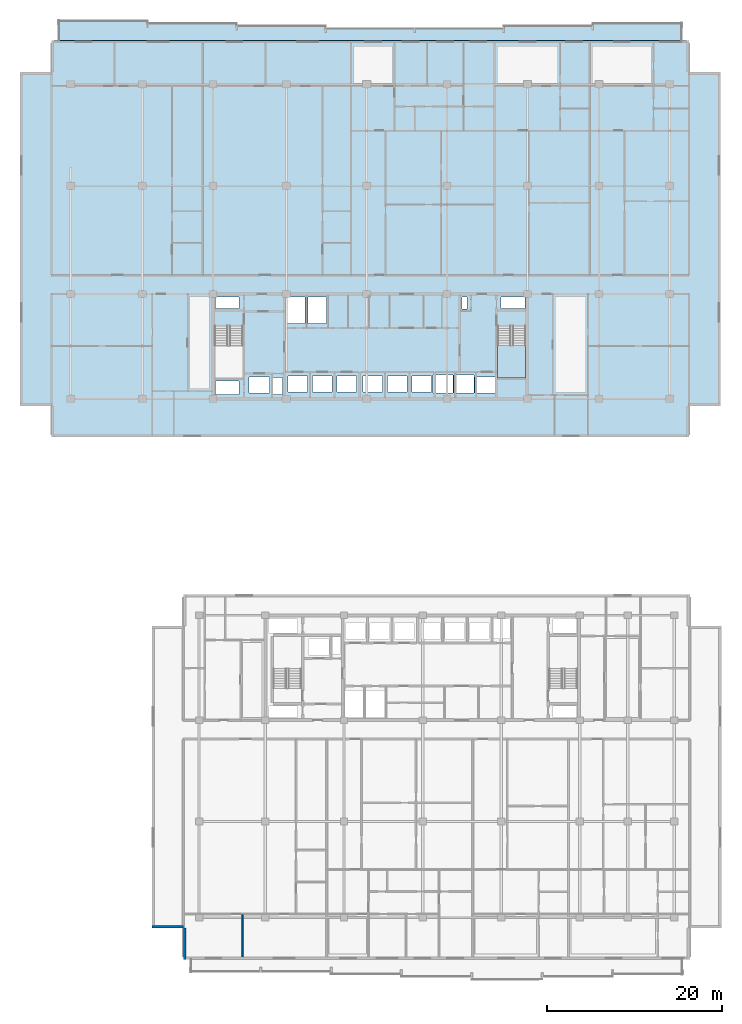
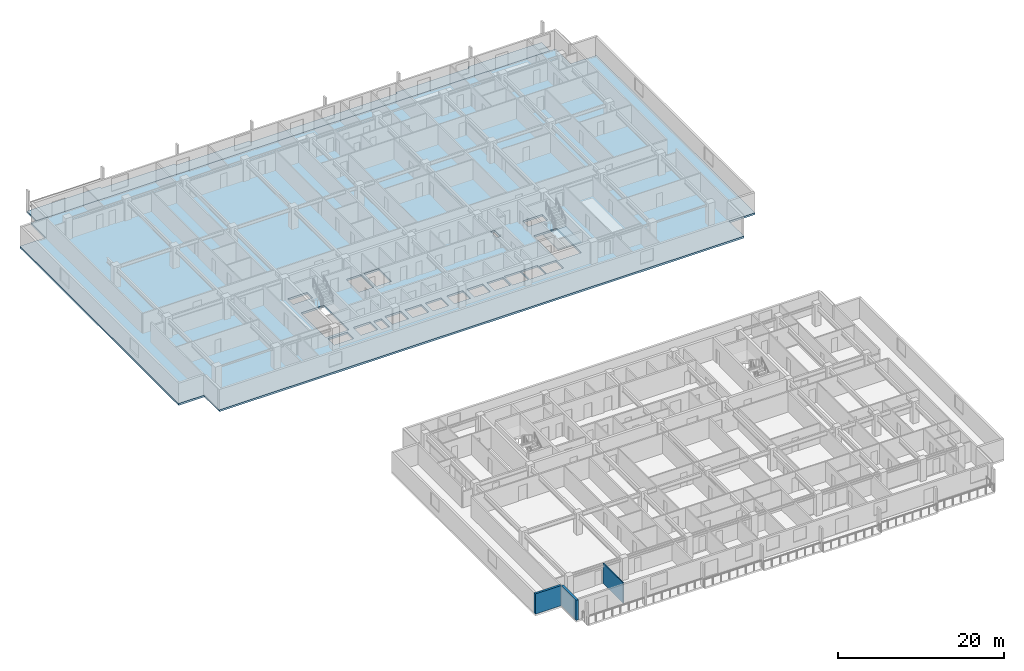
# One storey, part 3 of 22: 3 slabs, 3 walls, 1 element without a shape of its own.
"""IFC4 building model written with IfcOpenShell, lengths in metres."""

from ifc_helpers import new_model, si_unit, direction, frame, frame_2d, origin, place, context, subcontext, project, spatial, polyline, rectangle, outline, extrude, material, layer, layer_set, type_object, element, aggregate, save


model = new_model("IFC4")

# Units and contexts
model_context = context("Model", 3, precision=1e-05, world=origin(), true_north=direction((0.0, 1.0)))
body_context = subcontext(model_context, "Body", "Model", "MODEL_VIEW")
ifc_project = project(units=[si_unit("LENGTHUNIT", "METRE"), si_unit("AREAUNIT", "SQUARE_METRE"), si_unit("VOLUMEUNIT", "CUBIC_METRE"), si_unit("PLANEANGLEUNIT", "RADIAN"), si_unit("MASSUNIT", "GRAM", prefix="KILO")], contexts=[model_context])

# Site, building, storey
site_placement = place(None, origin())
site = spatial("IfcSite", under=ifc_project, at=site_placement, CompositionType="ELEMENT")
building_placement = place(site_placement, origin())
building = spatial("IfcBuilding", under=site, at=building_placement, Name="Korimba Cascade Residences", CompositionType="ELEMENT")
storey_placement = place(building_placement, frame((0.0, 0.0, 90.550048828125)))
storey = spatial("IfcBuildingStorey", under=building, at=storey_placement, Name="L25", CompositionType="ELEMENT", Elevation=90.550048828125)

# Stair, slab
ifc_material_1 = material(Name="Concrete C50/60", Category="concrete")
stair_type = type_object("IfcStairType", Name="STR-W2-18R-1806", PredefinedType="HALF_TURN_STAIR", material=ifc_material_1)
stair_placement = place(storey_placement, origin())
stair = element("IfcStair", 1, at=stair_placement, inside=storey, type_object=stair_type, Name="L25 Tower 1 East Fire Stair ST-W2", PredefinedType="HALF_TURN_STAIR")
ifc_layer_1 = layer(ifc_material_1, 0.199951171875)
ifc_layer_set_1 = layer_set([ifc_layer_1], Name="Concrete C50/60")
slab_type_1 = type_object("IfcSlabType", Name="SLB-LND-220", PredefinedType="LANDING", material=ifc_layer_set_1)
slab_1_placement = place(storey_placement, frame((0.0, 0.0, 1.425048828125)))
slab_1 = element("IfcSlab", 2, at=slab_1_placement, type_object=slab_type_1, Name="ST-W2 landing 1", PredefinedType="LANDING", context=body_context, shape_type="SweptSolid", body=[
    extrude(outline(polyline([(108.659912109375, 61.31005859375), (108.659912109375, 57.60009765625), (111.89990234375, 57.60009765625), (111.89990234375, 61.31005859375), (108.659912109375, 61.31005859375)])), origin(), (0.0, 0.0, 1.0), 0.199951171875),
])
aggregate(stair, [slab_1])

# Slabs
ifc_material_2 = material(Name="Precast concrete C40/50", Category="concrete")
ifc_layer_2 = layer(ifc_material_2, 0.239990234375)
ifc_layer_set_2 = layer_set([ifc_layer_2], Name="Precast concrete C40/50")
slab_type_2 = type_object("IfcSlabType", Name="SLB-LOG-240", PredefinedType="FLOOR", material=ifc_layer_set_2)
slab_2_placement = place(storey_placement, frame((0.0, 0.0, -0.239990234375)))
element("IfcSlab", 3, at=slab_2_placement, inside=storey, type_object=slab_type_2, Name="L25 Tower 1 North Loggia Slab", PredefinedType="FLOOR", context=body_context, shape_type="SweptSolid", body=[
    extrude(outline(polyline([(58.39990234375, 96.199951171875), (129.800048828125, 96.199951171875), (129.800048828125, 98.25), (119.60009765625, 98.25), (119.60009765625, 97.949951171875), (109.39990234375, 97.949951171875), (109.39990234375, 97.64990234375), (89.0, 97.64990234375), (89.0, 97.949951171875), (78.800048828125, 97.949951171875), (78.800048828125, 98.25), (68.60009765625, 98.25), (68.60009765625, 98.550048828125), (58.39990234375, 98.550048828125), (58.39990234375, 96.199951171875)])), origin(), (0.0, 0.0, 1.0), 0.239990234375),
])
ifc_layer_3 = layer(ifc_material_1, 0.280029296875)
ifc_layer_set_3 = layer_set([ifc_layer_3], Name="Concrete C50/60")
slab_type_3 = type_object("IfcSlabType", Name="SLB-TYP-280", PredefinedType="FLOOR", material=ifc_layer_set_3)
slab_3_placement = place(storey_placement, frame((0.0, 0.0, -0.280029296875)))
element("IfcSlab", 4, at=slab_3_placement, inside=storey, type_object=slab_type_3, Name="L25 Tower 1 Floor Slab", PredefinedType="FLOOR", context=body_context, shape_type="SweptSolid", body=[
    extrude(outline(polyline([(57.60009765625, 50.800048828125), (130.60009765625, 50.800048828125), (130.60009765625, 54.39990234375), (134.199951171875, 54.39990234375), (134.199951171875, 92.60009765625), (130.60009765625, 92.60009765625), (130.60009765625, 96.199951171875), (57.60009765625, 96.199951171875), (57.60009765625, 92.60009765625), (54.0, 92.60009765625), (54.0, 54.39990234375), (57.60009765625, 54.39990234375), (57.60009765625, 50.800048828125)]), holes=[polyline([(76.300048828125, 63.514892578125), (76.300048828125, 57.60009765625), (79.5400390625, 57.60009765625), (79.5400390625, 63.514892578125), (76.300048828125, 63.514892578125)]), polyline([(108.659912109375, 63.514892578125), (108.659912109375, 57.60009765625), (111.89990234375, 57.60009765625), (111.89990234375, 63.514892578125), (108.659912109375, 63.514892578125)]), polyline([(80.22998046875, 55.8798828125), (82.570068359375, 55.8798828125), (82.570068359375, 57.719970703125), (80.22998046875, 57.719970703125), (80.22998046875, 55.8798828125)]), polyline([(106.080078125, 55.8798828125), (108.419921875, 55.8798828125), (108.419921875, 57.719970703125), (106.080078125, 57.719970703125), (106.080078125, 55.8798828125)]), polyline([(84.679931640625, 55.97998046875), (86.919921875, 55.97998046875), (86.919921875, 57.820068359375), (84.679931640625, 57.820068359375), (84.679931640625, 55.97998046875)]), polyline([(87.47998046875, 55.97998046875), (89.719970703125, 55.97998046875), (89.719970703125, 57.820068359375), (87.47998046875, 57.820068359375), (87.47998046875, 55.97998046875)]), polyline([(90.280029296875, 55.97998046875), (92.52001953125, 55.97998046875), (92.52001953125, 57.820068359375), (90.280029296875, 57.820068359375), (90.280029296875, 55.97998046875)]), polyline([(93.280029296875, 55.97998046875), (95.52001953125, 55.97998046875), (95.52001953125, 57.820068359375), (93.280029296875, 57.820068359375), (93.280029296875, 55.97998046875)]), polyline([(96.080078125, 55.97998046875), (98.320068359375, 55.97998046875), (98.320068359375, 57.820068359375), (96.080078125, 57.820068359375), (96.080078125, 55.97998046875)]), polyline([(98.8798828125, 55.97998046875), (101.1201171875, 55.97998046875), (101.1201171875, 57.820068359375), (98.8798828125, 57.820068359375), (98.8798828125, 55.97998046875)]), polyline([(101.304931640625, 55.8798828125), (103.594970703125, 55.8798828125), (103.594970703125, 57.919921875), (101.304931640625, 57.919921875), (101.304931640625, 55.8798828125)]), polyline([(103.705078125, 55.8798828125), (105.9951171875, 55.8798828125), (105.9951171875, 57.919921875), (103.705078125, 57.919921875), (103.705078125, 55.8798828125)]), polyline([(82.97998046875, 55.679931640625), (84.080078125, 55.679931640625), (84.080078125, 57.6201171875), (82.97998046875, 57.6201171875), (82.97998046875, 55.679931640625)]), polyline([(76.39990234375, 65.56005859375), (79.10009765625, 65.56005859375), (79.10009765625, 66.8798828125), (76.39990234375, 66.8798828125), (76.39990234375, 65.56005859375)]), polyline([(76.39990234375, 55.679931640625), (79.10009765625, 55.679931640625), (79.10009765625, 57.239990234375), (76.39990234375, 57.239990234375), (76.39990234375, 55.679931640625)]), polyline([(84.530029296875, 63.820068359375), (86.6201171875, 63.820068359375), (86.6201171875, 66.8798828125), (84.530029296875, 66.8798828125), (84.530029296875, 63.820068359375)]), polyline([(86.97998046875, 63.820068359375), (89.070068359375, 63.820068359375), (89.070068359375, 66.8798828125), (86.97998046875, 66.8798828125), (86.97998046875, 63.820068359375)]), polyline([(104.6201171875, 65.4599609375), (105.179931640625, 65.4599609375), (105.179931640625, 66.8798828125), (104.6201171875, 66.8798828125), (104.6201171875, 65.4599609375)]), polyline([(109.080078125, 65.56005859375), (111.800048828125, 65.56005859375), (111.800048828125, 66.8798828125), (109.080078125, 66.8798828125), (109.080078125, 65.56005859375)])]), origin(), (0.0, 0.0, 1.0), 0.280029296875),
])

# Walls
ifc_layer_4 = layer(ifc_material_2, 0.300048828125)
ifc_layer_set_4 = layer_set([ifc_layer_4], Name="Precast concrete C40/50")
wall_type_1 = type_object("IfcWallType", Name="EW-STONE-300", PredefinedType="STANDARD", material=ifc_layer_set_4)
wall_1_placement = place(storey_placement, frame((69.10009765625, -5.25, 0.0), z_axis=(0.0, 0.0, 1.0), x_axis=(1.0, 0.0, 0.0)))
element("IfcWall", 5, at=wall_1_placement, inside=storey, type_object=wall_type_1, Name="L25 T2 Perimeter Stone Wall E10", PredefinedType="STANDARD", context=body_context, shape_type="SweptSolid", body=[
    extrude(rectangle(XDim=3.599853515625, YDim=0.300048828125, at=frame_2d((1.7998046875, 0.0))), origin(), (0.0, 0.0, 1.0), 2.969970703125),
])
wall_2_placement = place(storey_placement, frame((72.85009765625, -5.39990234375, 0.0), z_axis=(0.0, 0.0, 1.0), x_axis=(0.0, -1.0, 0.0)))
element("IfcWall", 6, at=wall_2_placement, inside=storey, type_object=wall_type_1, Name="L25 T2 Perimeter Stone Wall E11", PredefinedType="STANDARD", context=body_context, shape_type="SweptSolid", body=[
    extrude(rectangle(XDim=3.60009765625, YDim=0.300048828125, at=frame_2d((1.800048828125, 0.0))), origin(), (0.0, 0.0, 1.0), 2.969970703125),
])
ifc_material_3 = material(Name="Insulated Acoustic Stud Partition", Category="gypsum")
ifc_layer_5 = layer(ifc_material_3, 0.14990234375)
ifc_layer_set_5 = layer_set([ifc_layer_5], Name="Insulated Acoustic Stud Partition")
wall_type_2 = type_object("IfcWallType", Name="WAL-PART-150", PredefinedType="PARTITIONING", material=ifc_layer_set_5)
wall_3_placement = place(storey_placement, frame((79.4892578125, -8.699951171875, 0.0), z_axis=(0.0, 0.0, 1.0), x_axis=(0.0, 1.0, 0.0)))
element("IfcWall", 7, at=wall_3_placement, inside=storey, type_object=wall_type_2, Name="L25 Partition Wall WAL-L25-T2-U01-OUTV", PredefinedType="PARTITIONING", context=body_context, shape_type="SweptSolid", body=[
    extrude(rectangle(XDim=4.820068359375, YDim=0.14990234375, at=frame_2d((2.41015625, 0.0))), origin(), (0.0, 0.0, 1.0), 2.969970703125),
])

save(model, "model.ifc")
